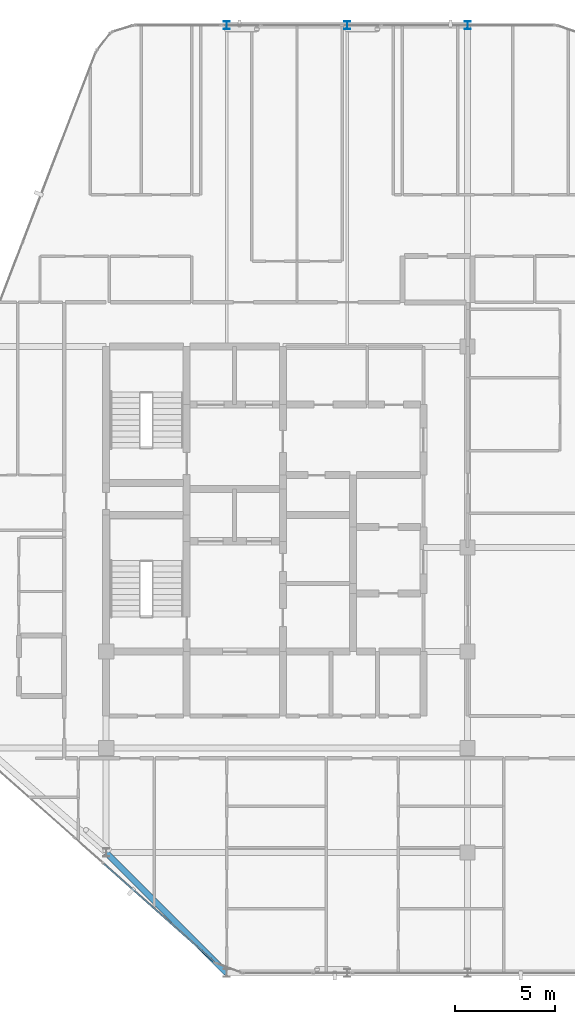
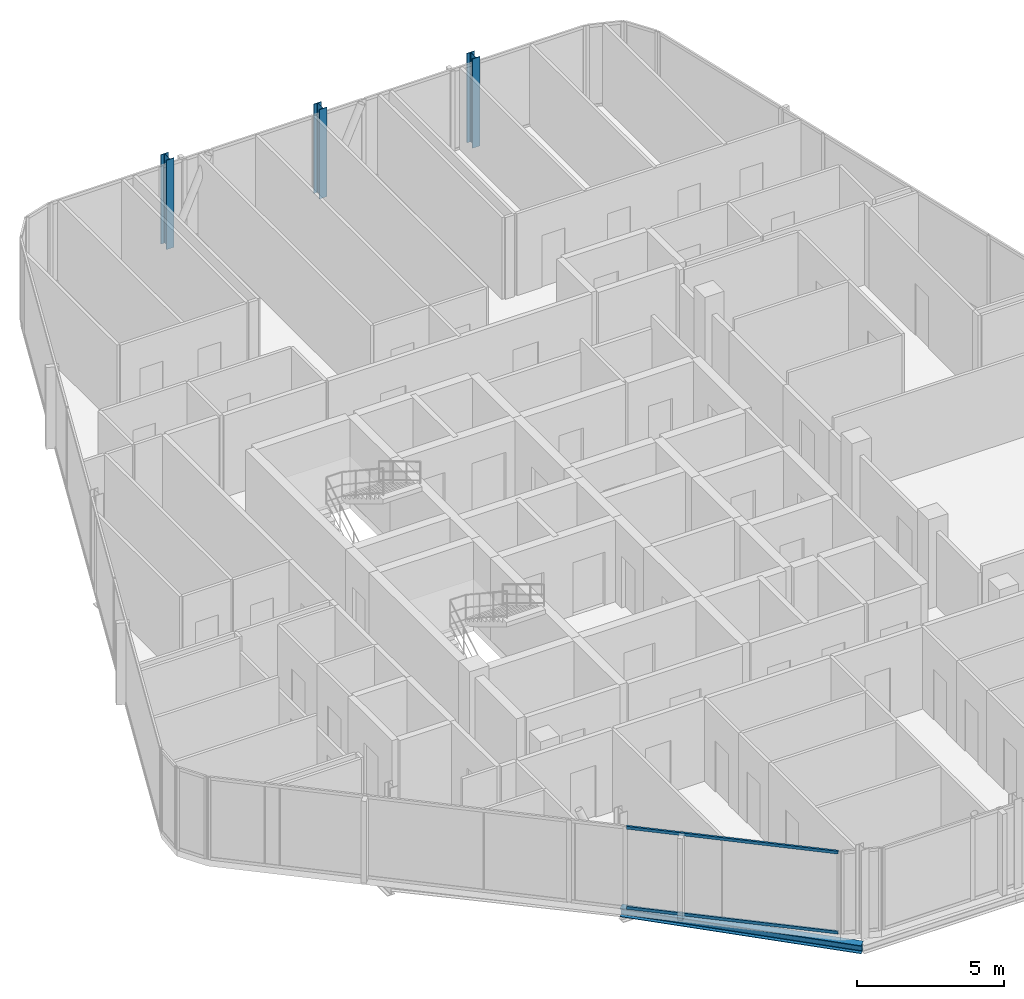
# One storey, part 2 of 28: 3 columns, 2 members, 1 beam, 1 element without a shape of its own.
"""IFC4 building model written with IfcOpenShell, lengths in metres."""

from ifc_helpers import new_model, si_unit, direction, frame, origin, origin_2d, place, context, subcontext, project, spatial, hollow_rectangle, i_section, extrude, material, layer, layer_set, material_profile, profile_set, type_object, element, aggregate, save


model = new_model("IFC4")

# Units and contexts
model_context = context("Model", 3, precision=1e-05, world=origin(), true_north=direction((0.0, 1.0)))
body_context = subcontext(model_context, "Body", "Model", "MODEL_VIEW")
ifc_project = project(units=[si_unit("LENGTHUNIT", "METRE"), si_unit("AREAUNIT", "SQUARE_METRE"), si_unit("VOLUMEUNIT", "CUBIC_METRE"), si_unit("PLANEANGLEUNIT", "RADIAN"), si_unit("MASSUNIT", "GRAM", prefix="KILO")], contexts=[model_context])

# Site, building, storey
site_placement = place(None, origin())
site = spatial("IfcSite", under=ifc_project, at=site_placement, CompositionType="ELEMENT")
building_placement = place(site_placement, origin())
building = spatial("IfcBuilding", under=site, at=building_placement, Name="Keshet Zoharim Tower", CompositionType="ELEMENT")
storey_placement = place(building_placement, frame((0.0, 0.0, 258.39990234375)))
storey = spatial("IfcBuildingStorey", under=building, at=storey_placement, Name="L64", CompositionType="ELEMENT", Elevation=258.39990234375)

# Columns
ifc_material_1 = material(Name="Steel S355", Category="steel")
ifc_material_profile_1 = material_profile(ifc_material_1, i_section(OverallWidth=0.300048828125, OverallDepth=0.39990234375, WebThickness=0.013427734375, FlangeThickness=0.02392578125, FilletRadius=0.027099609375, at=origin_2d()), Name="HEB400")
ifc_profile_set_1 = profile_set([ifc_material_profile_1], Name="Steel S355")
column_type = type_object("IfcColumnType", Name="COL-HEB400", PredefinedType="COLUMN", material=ifc_profile_set_1)
for number, where, z_axis, x_axis, name in (
    (1, (21.0, 53.89990234375, 0.0), (0.0, 0.0, 1.0), (1.0, 0.0, 0.0), "L64 Column 4L"),
    (2, (27.0, 53.89990234375, 0.0), (0.0, 0.0, 1.0), (1.0, 0.0, 0.0), "L64 Column 5L"),
    (3, (33.0, 53.89990234375, 0.0), (0.0, 0.0, 1.0), (1.0, 0.0, 0.0), "L64 Column 6L"),
):
    element("IfcColumn", number, at=place(storey_placement, frame(where, z_axis=z_axis, x_axis=x_axis)), inside=storey, type_object=column_type, Name=name, PredefinedType="COLUMN", context=body_context, shape_type="SweptSolid", body=[
        extrude(i_section(OverallWidth=0.300048828125, OverallDepth=0.39990234375, WebThickness=0.013427734375, FlangeThickness=0.02392578125, FilletRadius=0.027099609375, at=origin_2d()), origin(), (0.0, 0.0, 1.0), 3.7001953125),
    ])

# Beam
ifc_material_profile_2 = material_profile(ifc_material_1, i_section(OverallWidth=0.300048828125, OverallDepth=0.340087890625, WebThickness=0.011962890625, FlangeThickness=0.021484375, FilletRadius=0.027099609375, at=origin_2d()), Name="HEB340")
ifc_profile_set_2 = profile_set([ifc_material_profile_2], Name="Steel S355")
beam_type = type_object("IfcBeamType", Name="BM-SPN-HB340", PredefinedType="SPANDREL", material=ifc_profile_set_2)
beam_placement = place(storey_placement, frame((21.0, 6.699951171875, -0.47998046875), z_axis=(-0.707106781187, 0.707106781187, 0.0), x_axis=(-0.707106781187, -0.707106781187, 0.0)))
element("IfcBeam", 4, at=beam_placement, inside=storey, type_object=beam_type, Name="L64 Perimeter Spandrel Beam 01", PredefinedType="SPANDREL", context=body_context, shape_type="SweptSolid", body=[
    extrude(i_section(OverallWidth=0.300048828125, OverallDepth=0.340087890625, WebThickness=0.011962890625, FlangeThickness=0.021484375, FilletRadius=0.027099609375, at=origin_2d()), origin(), (0.0, 0.0, 1.0), 8.4853515625),
])

# Curtain wall, members
ifc_material_2 = material(Name="Aluminium 6063-T6", Category="aluminium")
ifc_layer = layer(ifc_material_2, 0.260009765625)
ifc_layer_set = layer_set([ifc_layer], Name="Aluminium 6063-T6")
curtain_wall_type = type_object("IfcCurtainWallType", Name="CW-SYS-06", PredefinedType="NOTDEFINED", material=ifc_layer_set)
curtain_wall_placement = place(storey_placement, origin())
curtain_wall = element("IfcCurtainWall", 5, at=curtain_wall_placement, inside=storey, type_object=curtain_wall_type, Name="L64 Unitised Curtain Wall 16", PredefinedType="NOTDEFINED")
ifc_material_profile_3 = material_profile(ifc_material_2, hollow_rectangle(XDim=0.074951171875, YDim=0.1201171875, WallThickness=0.00390625, at=origin_2d()), Name="TRN-75x120")
ifc_profile_set_3 = profile_set([ifc_material_profile_3], Name="Aluminium 6063-T6")
member_type = type_object("IfcMemberType", Name="CWT-T12", PredefinedType="USERDEFINED", material=ifc_profile_set_3)
member_1_placement = place(storey_placement, frame((20.379638671875, 7.25146484375, 0.03515625), z_axis=(-0.747412985939, 0.664359713145, 0.0), x_axis=(-0.664359713145, -0.747412985939, 0.0)))
member_1 = element("IfcMember", 6, at=member_1_placement, type_object=member_type, Name="CW-06 transom 1.1", ObjectType="TRANSOM", PredefinedType="USERDEFINED", context=body_context, shape_type="SweptSolid", body=[
    extrude(hollow_rectangle(XDim=0.074951171875, YDim=0.1201171875, WallThickness=0.00390625, at=origin_2d()), origin(), (0.0, 0.0, 1.0), 7.345947265625),
])
member_2_placement = place(storey_placement, frame((20.379638671875, 7.25146484375, 3.35498046875), z_axis=(-0.747412985939, 0.664359713145, 0.0), x_axis=(-0.664359713145, -0.747412985939, 0.0)))
member_2 = element("IfcMember", 7, at=member_2_placement, type_object=member_type, Name="CW-06 transom 1.2", ObjectType="TRANSOM", PredefinedType="USERDEFINED", context=body_context, shape_type="SweptSolid", body=[
    extrude(hollow_rectangle(XDim=0.074951171875, YDim=0.1201171875, WallThickness=0.00390625, at=origin_2d()), origin(), (0.0, 0.0, 1.0), 7.345947265625),
])
aggregate(curtain_wall, [member_1, member_2])

save(model, "model.ifc")
